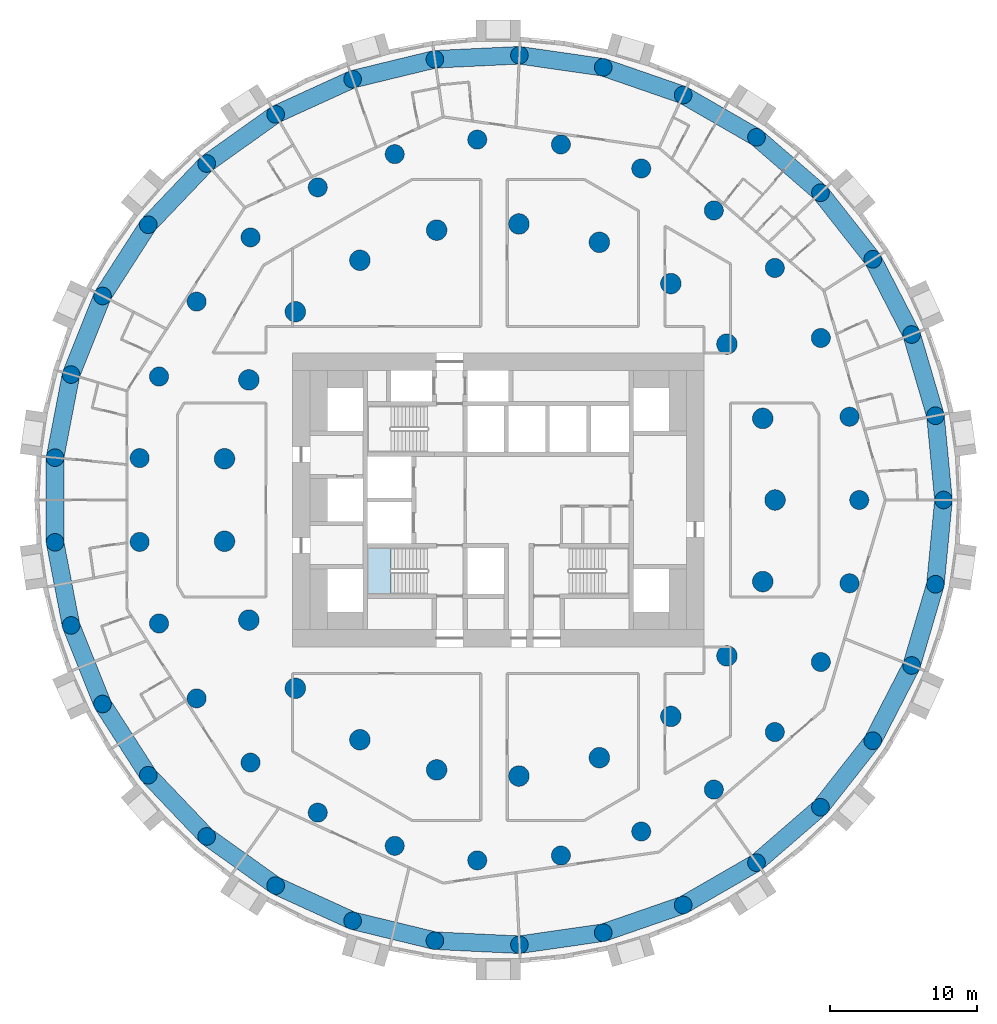
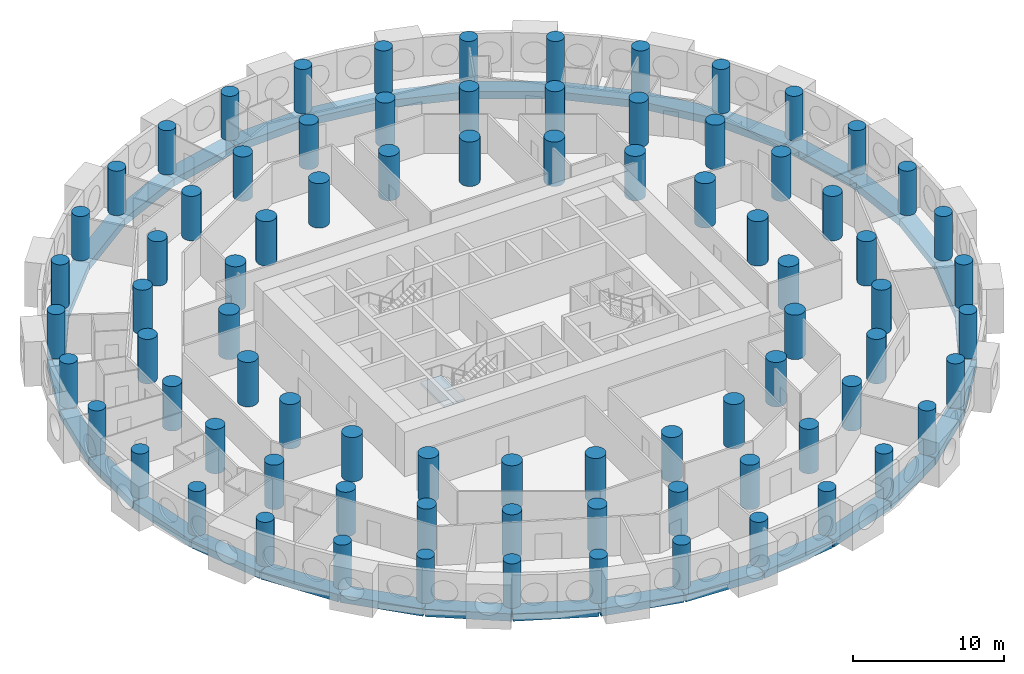
# One storey, part 1 of 12: 81 columns, 33 beams, 1 slab, 1 element without a shape of its own.
"""IFC4 building model written with IfcOpenShell, lengths in metres."""

from ifc_helpers import new_model, si_unit, direction, frame, origin, origin_2d, place, context, subcontext, project, spatial, polyline, rectangle, circle, outline, extrude, material, layer, layer_set, material_profile, profile_set, type_object, element, aggregate, save


model = new_model("IFC4")

# Units and contexts
model_context = context("Model", 3, precision=1e-05, world=origin(), true_north=direction((0.0, 1.0)))
body_context = subcontext(model_context, "Body", "Model", "MODEL_VIEW")
ifc_project = project(units=[si_unit("LENGTHUNIT", "METRE"), si_unit("AREAUNIT", "SQUARE_METRE"), si_unit("VOLUMEUNIT", "CUBIC_METRE"), si_unit("PLANEANGLEUNIT", "RADIAN"), si_unit("MASSUNIT", "GRAM", prefix="KILO")], contexts=[model_context])

# Site, building, storey
site_placement = place(None, origin())
site = spatial("IfcSite", under=ifc_project, at=site_placement, CompositionType="ELEMENT")
building_placement = place(site_placement, origin())
building = spatial("IfcBuilding", under=site, at=building_placement, Name="Tracery Tower", CompositionType="ELEMENT")
storey_placement = place(building_placement, frame((0.0, 0.0, 107.39990234375)))
storey = spatial("IfcBuildingStorey", under=building, at=storey_placement, Name="L27", CompositionType="ELEMENT", Elevation=107.39990234375)

# Columns
ifc_material_1 = material(Name="Concrete C60/75", Category="concrete")
ifc_material_profile_1 = material_profile(ifc_material_1, circle(Radius=0.60009765625, at=origin_2d()), Name="RC D1200")
ifc_profile_set_1 = profile_set([ifc_material_profile_1], Name="Concrete C60/75")
column_type_1 = type_object("IfcColumnType", Name="Ring 0 column 1200", PredefinedType="COLUMN", material=ifc_profile_set_1)
for number, where, z_axis, x_axis, name in (
    (1, (30.274658203125, 0.0, 0.0), (0.0, 0.0, 1.0), (1.0, 0.0, 0.0), "Ring 0 column 00 at L27"),
    (2, (29.7275390625, 5.7294921875, 0.0), (0.0, 0.0, 1.0), (1.0, 0.0, 0.0), "Ring 0 column 01 at L27"),
    (3, (28.10595703125, 11.251953125, 0.0), (0.0, 0.0, 1.0), (1.0, 0.0, 0.0), "Ring 0 column 02 at L27"),
    (4, (25.468505859375, 16.36767578125, 0.0), (0.0, 0.0, 1.0), (1.0, 0.0, 0.0), "Ring 0 column 03 at L27"),
    (5, (21.910888671875, 20.891845703125, 0.0), (0.0, 0.0, 1.0), (1.0, 0.0, 0.0), "Ring 0 column 04 at L27"),
    (6, (17.56103515625, 24.660888671875, 0.0), (0.0, 0.0, 1.0), (1.0, 0.0, 0.0), "Ring 0 column 05 at L27"),
    (7, (12.576416015625, 27.538818359375, 0.0), (0.0, 0.0, 1.0), (1.0, 0.0, 0.0), "Ring 0 column 06 at L27"),
    (8, (7.137451171875, 29.421142578125, 0.0), (0.0, 0.0, 1.0), (1.0, 0.0, 0.0), "Ring 0 column 07 at L27"),
    (9, (1.4404296875, 30.240234375, 0.0), (0.0, 0.0, 1.0), (1.0, 0.0, 0.0), "Ring 0 column 08 at L27"),
    (10, (-4.30859375, 29.96630859375, 0.0), (0.0, 0.0, 1.0), (1.0, 0.0, 0.0), "Ring 0 column 09 at L27"),
    (11, (-9.90185546875, 28.609619140625, 0.0), (0.0, 0.0, 1.0), (1.0, 0.0, 0.0), "Ring 0 column 10 at L27"),
    (12, (-15.13720703125, 26.218505859375, 0.0), (0.0, 0.0, 1.0), (1.0, 0.0, 0.0), "Ring 0 column 11 at L27"),
    (13, (-19.82568359375, 22.8798828125, 0.0), (0.0, 0.0, 1.0), (1.0, 0.0, 0.0), "Ring 0 column 12 at L27"),
    (14, (-23.79736328125, 18.714599609375, 0.0), (0.0, 0.0, 1.0), (1.0, 0.0, 0.0), "Ring 0 column 13 at L27"),
    (15, (-26.9091796875, 13.87255859375, 0.0), (0.0, 0.0, 1.0), (1.0, 0.0, 0.0), "Ring 0 column 14 at L27"),
    (16, (-29.04833984375, 8.529296875, 0.0), (0.0, 0.0, 1.0), (1.0, 0.0, 0.0), "Ring 0 column 15 at L27"),
    (17, (-30.137451171875, 2.877685546875, 0.0), (0.0, 0.0, 1.0), (1.0, 0.0, 0.0), "Ring 0 column 16 at L27"),
    (18, (-30.137451171875, -2.877685546875, 0.0), (0.0, 0.0, 1.0), (1.0, 0.0, 0.0), "Ring 0 column 17 at L27"),
    (19, (-29.04833984375, -8.529296875, 0.0), (0.0, 0.0, 1.0), (1.0, 0.0, 0.0), "Ring 0 column 18 at L27"),
    (20, (-26.9091796875, -13.87255859375, 0.0), (0.0, 0.0, 1.0), (1.0, 0.0, 0.0), "Ring 0 column 19 at L27"),
    (21, (-23.79736328125, -18.714599609375, 0.0), (0.0, 0.0, 1.0), (1.0, 0.0, 0.0), "Ring 0 column 20 at L27"),
    (22, (-19.82568359375, -22.8798828125, 0.0), (0.0, 0.0, 1.0), (1.0, 0.0, 0.0), "Ring 0 column 21 at L27"),
    (23, (-15.13720703125, -26.218505859375, 0.0), (0.0, 0.0, 1.0), (1.0, 0.0, 0.0), "Ring 0 column 22 at L27"),
    (24, (-9.90185546875, -28.609619140625, 0.0), (0.0, 0.0, 1.0), (1.0, 0.0, 0.0), "Ring 0 column 23 at L27"),
    (25, (-4.30859375, -29.96630859375, 0.0), (0.0, 0.0, 1.0), (1.0, 0.0, 0.0), "Ring 0 column 24 at L27"),
    (26, (1.4404296875, -30.240234375, 0.0), (0.0, 0.0, 1.0), (1.0, 0.0, 0.0), "Ring 0 column 25 at L27"),
    (27, (7.137451171875, -29.421142578125, 0.0), (0.0, 0.0, 1.0), (1.0, 0.0, 0.0), "Ring 0 column 26 at L27"),
    (28, (12.576416015625, -27.538818359375, 0.0), (0.0, 0.0, 1.0), (1.0, 0.0, 0.0), "Ring 0 column 27 at L27"),
    (29, (17.56103515625, -24.660888671875, 0.0), (0.0, 0.0, 1.0), (1.0, 0.0, 0.0), "Ring 0 column 28 at L27"),
    (30, (21.910888671875, -20.891845703125, 0.0), (0.0, 0.0, 1.0), (1.0, 0.0, 0.0), "Ring 0 column 29 at L27"),
    (31, (25.468505859375, -16.36767578125, 0.0), (0.0, 0.0, 1.0), (1.0, 0.0, 0.0), "Ring 0 column 30 at L27"),
    (32, (28.10595703125, -11.251953125, 0.0), (0.0, 0.0, 1.0), (1.0, 0.0, 0.0), "Ring 0 column 31 at L27"),
    (33, (29.7275390625, -5.7294921875, 0.0), (0.0, 0.0, 1.0), (1.0, 0.0, 0.0), "Ring 0 column 32 at L27"),
):
    element("IfcColumn", number, at=place(storey_placement, frame(where, z_axis=z_axis, x_axis=x_axis)), inside=storey, type_object=column_type_1, Name=name, PredefinedType="COLUMN", context=body_context, shape_type="SweptSolid", body=[
        extrude(circle(Radius=0.60009765625, at=origin_2d()), origin(), (0.0, 0.0, 1.0), 3.60009765625),
    ])
ifc_material_2 = material(Name="Concrete C60/75", Category="concrete")
ifc_material_profile_2 = material_profile(ifc_material_2, circle(Radius=0.64990234375, at=origin_2d()), Name="RC D1300")
ifc_profile_set_2 = profile_set([ifc_material_profile_2], Name="Concrete C60/75")
column_type_2 = type_object("IfcColumnType", Name="Ring 1 column 1300", PredefinedType="COLUMN", material=ifc_profile_set_2)
for number, where, z_axis, x_axis, name in (
    (34, (24.547607421875, 0.0, 0.0), (0.0, 0.0, 1.0), (1.0, 0.0, 0.0), "Ring 1 column 00 at L27"),
    (35, (23.885986328125, 5.6611328125, 0.0), (0.0, 0.0, 1.0), (1.0, 0.0, 0.0), "Ring 1 column 01 at L27"),
    (36, (21.9365234375, 11.01708984375, 0.0), (0.0, 0.0, 1.0), (1.0, 0.0, 0.0), "Ring 1 column 02 at L27"),
    (37, (18.8046875, 15.779052734375, 0.0), (0.0, 0.0, 1.0), (1.0, 0.0, 0.0), "Ring 1 column 03 at L27"),
    (38, (14.658935546875, 19.690185546875, 0.0), (0.0, 0.0, 1.0), (1.0, 0.0, 0.0), "Ring 1 column 04 at L27"),
    (39, (9.722900390625, 22.5400390625, 0.0), (0.0, 0.0, 1.0), (1.0, 0.0, 0.0), "Ring 1 column 05 at L27"),
    (40, (4.2626953125, 24.1748046875, 0.0), (0.0, 0.0, 1.0), (1.0, 0.0, 0.0), "Ring 1 column 06 at L27"),
    (41, (-1.42724609375, 24.506103515625, 0.0), (0.0, 0.0, 1.0), (1.0, 0.0, 0.0), "Ring 1 column 07 at L27"),
    (42, (-7.040283203125, 23.516357421875, 0.0), (0.0, 0.0, 1.0), (1.0, 0.0, 0.0), "Ring 1 column 08 at L27"),
    (43, (-12.273681640625, 21.2587890625, 0.0), (0.0, 0.0, 1.0), (1.0, 0.0, 0.0), "Ring 1 column 09 at L27"),
    (44, (-16.845703125, 17.855224609375, 0.0), (0.0, 0.0, 1.0), (1.0, 0.0, 0.0), "Ring 1 column 10 at L27"),
    (45, (-20.50927734375, 13.4892578125, 0.0), (0.0, 0.0, 1.0), (1.0, 0.0, 0.0), "Ring 1 column 11 at L27"),
    (46, (-23.0673828125, 8.395751953125, 0.0), (0.0, 0.0, 1.0), (1.0, 0.0, 0.0), "Ring 1 column 12 at L27"),
    (47, (-24.381591796875, 2.849853515625, 0.0), (0.0, 0.0, 1.0), (1.0, 0.0, 0.0), "Ring 1 column 13 at L27"),
    (48, (-24.381591796875, -2.849853515625, 0.0), (0.0, 0.0, 1.0), (1.0, 0.0, 0.0), "Ring 1 column 14 at L27"),
    (49, (-23.0673828125, -8.395751953125, 0.0), (0.0, 0.0, 1.0), (1.0, 0.0, 0.0), "Ring 1 column 15 at L27"),
    (50, (-20.50927734375, -13.4892578125, 0.0), (0.0, 0.0, 1.0), (1.0, 0.0, 0.0), "Ring 1 column 16 at L27"),
    (51, (-16.845703125, -17.85546875, 0.0), (0.0, 0.0, 1.0), (1.0, 0.0, 0.0), "Ring 1 column 17 at L27"),
    (52, (-12.27392578125, -21.2587890625, 0.0), (0.0, 0.0, 1.0), (1.0, 0.0, 0.0), "Ring 1 column 18 at L27"),
    (53, (-7.040283203125, -23.516357421875, 0.0), (0.0, 0.0, 1.0), (1.0, 0.0, 0.0), "Ring 1 column 19 at L27"),
    (54, (-1.42724609375, -24.506103515625, 0.0), (0.0, 0.0, 1.0), (1.0, 0.0, 0.0), "Ring 1 column 20 at L27"),
    (55, (4.2626953125, -24.1748046875, 0.0), (0.0, 0.0, 1.0), (1.0, 0.0, 0.0), "Ring 1 column 21 at L27"),
    (56, (9.722900390625, -22.5400390625, 0.0), (0.0, 0.0, 1.0), (1.0, 0.0, 0.0), "Ring 1 column 22 at L27"),
    (57, (14.658935546875, -19.690185546875, 0.0), (0.0, 0.0, 1.0), (1.0, 0.0, 0.0), "Ring 1 column 23 at L27"),
    (58, (18.8046875, -15.779052734375, 0.0), (0.0, 0.0, 1.0), (1.0, 0.0, 0.0), "Ring 1 column 24 at L27"),
    (59, (21.9365234375, -11.01708984375, 0.0), (0.0, 0.0, 1.0), (1.0, 0.0, 0.0), "Ring 1 column 25 at L27"),
    (60, (23.885986328125, -5.6611328125, 0.0), (0.0, 0.0, 1.0), (1.0, 0.0, 0.0), "Ring 1 column 26 at L27"),
):
    element("IfcColumn", number, at=place(storey_placement, frame(where, z_axis=z_axis, x_axis=x_axis)), inside=storey, type_object=column_type_2, Name=name, PredefinedType="COLUMN", context=body_context, shape_type="SweptSolid", body=[
        extrude(circle(Radius=0.64990234375, at=origin_2d()), origin(), (0.0, 0.0, 1.0), 3.60009765625),
    ])
ifc_material_3 = material(Name="Concrete C60/75", Category="concrete")
ifc_material_profile_3 = material_profile(ifc_material_3, circle(Radius=0.699951171875, at=origin_2d()), Name="RC D1400")
ifc_profile_set_3 = profile_set([ifc_material_profile_3], Name="Concrete C60/75")
column_type_3 = type_object("IfcColumnType", Name="Ring 2 column 1400", PredefinedType="COLUMN", material=ifc_profile_set_3)
for number, where, z_axis, x_axis, name in (
    (61, (18.822265625, 0.0, 0.0), (0.0, 0.0, 1.0), (1.0, 0.0, 0.0), "Ring 2 column 00 at L27"),
    (62, (17.986083984375, 5.5478515625, 0.0), (0.0, 0.0, 1.0), (1.0, 0.0, 0.0), "Ring 2 column 01 at L27"),
    (63, (15.551513671875, 10.602783203125, 0.0), (0.0, 0.0, 1.0), (1.0, 0.0, 0.0), "Ring 2 column 02 at L27"),
    (64, (11.7353515625, 14.7158203125, 0.0), (0.0, 0.0, 1.0), (1.0, 0.0, 0.0), "Ring 2 column 03 at L27"),
    (65, (6.87646484375, 17.52099609375, 0.0), (0.0, 0.0, 1.0), (1.0, 0.0, 0.0), "Ring 2 column 04 at L27"),
    (66, (1.406494140625, 18.76953125, 0.0), (0.0, 0.0, 1.0), (1.0, 0.0, 0.0), "Ring 2 column 05 at L27"),
    (67, (-4.188232421875, 18.350341796875, 0.0), (0.0, 0.0, 1.0), (1.0, 0.0, 0.0), "Ring 2 column 06 at L27"),
    (68, (-9.4111328125, 16.300537109375, 0.0), (0.0, 0.0, 1.0), (1.0, 0.0, 0.0), "Ring 2 column 07 at L27"),
    (69, (-13.797607421875, 12.802490234375, 0.0), (0.0, 0.0, 1.0), (1.0, 0.0, 0.0), "Ring 2 column 08 at L27"),
    (70, (-16.958251953125, 8.16650390625, 0.0), (0.0, 0.0, 1.0), (1.0, 0.0, 0.0), "Ring 2 column 09 at L27"),
    (71, (-18.612060546875, 2.805419921875, 0.0), (0.0, 0.0, 1.0), (1.0, 0.0, 0.0), "Ring 2 column 10 at L27"),
    (72, (-18.612060546875, -2.805419921875, 0.0), (0.0, 0.0, 1.0), (1.0, 0.0, 0.0), "Ring 2 column 11 at L27"),
    (73, (-16.958251953125, -8.166748046875, 0.0), (0.0, 0.0, 1.0), (1.0, 0.0, 0.0), "Ring 2 column 12 at L27"),
    (74, (-13.797607421875, -12.80224609375, 0.0), (0.0, 0.0, 1.0), (1.0, 0.0, 0.0), "Ring 2 column 13 at L27"),
    (75, (-9.4111328125, -16.300537109375, 0.0), (0.0, 0.0, 1.0), (1.0, 0.0, 0.0), "Ring 2 column 14 at L27"),
    (76, (-4.188232421875, -18.350341796875, 0.0), (0.0, 0.0, 1.0), (1.0, 0.0, 0.0), "Ring 2 column 15 at L27"),
    (77, (1.406494140625, -18.76953125, 0.0), (0.0, 0.0, 1.0), (1.0, 0.0, 0.0), "Ring 2 column 16 at L27"),
    (78, (6.87646484375, -17.52099609375, 0.0), (0.0, 0.0, 1.0), (1.0, 0.0, 0.0), "Ring 2 column 17 at L27"),
    (79, (11.7353515625, -14.7158203125, 0.0), (0.0, 0.0, 1.0), (1.0, 0.0, 0.0), "Ring 2 column 18 at L27"),
    (80, (15.551513671875, -10.602783203125, 0.0), (0.0, 0.0, 1.0), (1.0, 0.0, 0.0), "Ring 2 column 19 at L27"),
    (81, (17.986083984375, -5.5478515625, 0.0), (0.0, 0.0, 1.0), (1.0, 0.0, 0.0), "Ring 2 column 20 at L27"),
):
    element("IfcColumn", number, at=place(storey_placement, frame(where, z_axis=z_axis, x_axis=x_axis)), inside=storey, type_object=column_type_3, Name=name, PredefinedType="COLUMN", context=body_context, shape_type="SweptSolid", body=[
        extrude(circle(Radius=0.699951171875, at=origin_2d()), origin(), (0.0, 0.0, 1.0), 3.60009765625),
    ])

# Beams
ifc_material_4 = material(Name="Concrete C60/75", Category="concrete")
ifc_material_profile_4 = material_profile(ifc_material_4, rectangle(XDim=1.199951171875, YDim=0.60009765625, at=origin_2d()), Name="RC 1200x600")
ifc_profile_set_4 = profile_set([ifc_material_profile_4], Name="Concrete C60/75")
beam_type = type_object("IfcBeamType", Name="Perimeter band beam 1200x600", PredefinedType="BEAM", material=ifc_profile_set_4)
for number, where, z_axis, x_axis, name in (
    (82, (30.274658203125, 0.0, -0.75), (-0.095059309677, 0.995471610667, 0.0), (-0.995471610667, -0.095059309677, 0.0), "Perimeter beam 0.00 under L27"),
    (83, (29.7275390625, 5.7294921875, -0.75), (-0.281739145896, 0.959491038869, 0.0), (-0.959491038869, -0.281739145896, 0.0), "Perimeter beam 0.01 under L27"),
    (84, (28.10595703125, 11.251953125, -0.75), (-0.458242010493, 0.88882746347, 0.0), (-0.88882746347, -0.458242010493, 0.0), "Perimeter beam 0.02 under L27"),
):
    element("IfcBeam", number, at=place(storey_placement, frame(where, z_axis=z_axis, x_axis=x_axis)), inside=storey, type_object=beam_type, Name=name, PredefinedType="BEAM", context=body_context, shape_type="SweptSolid", body=[
        extrude(rectangle(XDim=1.199951171875, YDim=0.60009765625, at=origin_2d()), origin(), (0.0, 0.0, 1.0), 5.755615234375),
    ])
beam_1_placement = place(storey_placement, frame((25.468505859375, 16.36767578125, -0.75), z_axis=(-0.618134362257, 0.786072458618, 0.0), x_axis=(-0.786072458618, -0.618134362257, 0.0)))
element("IfcBeam", 85, at=beam_1_placement, inside=storey, type_object=beam_type, Name="Perimeter beam 0.03 under L27", PredefinedType="BEAM", context=body_context, shape_type="SweptSolid", body=[
    extrude(rectangle(XDim=1.199951171875, YDim=0.60009765625, at=origin_2d()), origin(), (0.0, 0.0, 1.0), 5.75537109375),
])
beam_2_placement = place(storey_placement, frame((21.910888671875, 20.891845703125, -0.75), z_axis=(-0.755760456715, 0.65484817482, 0.0), x_axis=(-0.65484817482, -0.755760456715, 0.0)))
element("IfcBeam", 86, at=beam_2_placement, inside=storey, type_object=beam_type, Name="Perimeter beam 0.04 under L27", PredefinedType="BEAM", context=body_context, shape_type="SweptSolid", body=[
    extrude(rectangle(XDim=1.199951171875, YDim=0.60009765625, at=origin_2d()), origin(), (0.0, 0.0, 1.0), 5.755615234375),
])
beam_3_placement = place(storey_placement, frame((17.56103515625, 24.660888671875, -0.75), z_axis=(-0.866021003874, 0.50000762079, 0.0), x_axis=(-0.50000762079, -0.866021003874, 0.0)))
element("IfcBeam", 87, at=beam_3_placement, inside=storey, type_object=beam_type, Name="Perimeter beam 0.05 under L27", PredefinedType="BEAM", context=body_context, shape_type="SweptSolid", body=[
    extrude(rectangle(XDim=1.199951171875, YDim=0.60009765625, at=origin_2d()), origin(), (0.0, 0.0, 1.0), 5.755859375),
])
beam_4_placement = place(storey_placement, frame((12.576416015625, 27.538818359375, -0.75), z_axis=(-0.945007252869, 0.327049372458, 0.0), x_axis=(-0.327049372458, -0.945007252869, 0.0)))
element("IfcBeam", 88, at=beam_4_placement, inside=storey, type_object=beam_type, Name="Perimeter beam 0.06 under L27", PredefinedType="BEAM", context=body_context, shape_type="SweptSolid", body=[
    extrude(rectangle(XDim=1.199951171875, YDim=0.60009765625, at=origin_2d()), origin(), (0.0, 0.0, 1.0), 5.75537109375),
])
for number, where, z_axis, x_axis, name in (
    (89, (7.137451171875, 29.421142578125, -0.75), (-0.989821839174, 0.142312075013, 0.0), (-0.142312075013, -0.989821839174, 0.0), "Perimeter beam 0.07 under L27"),
    (90, (1.4404296875, 30.240234375, -0.75), (-0.998866793759, -0.047593364303, 0.0), (0.047593364303, -0.998866793759, 0.0), "Perimeter beam 0.08 under L27"),
):
    element("IfcBeam", number, at=place(storey_placement, frame(where, z_axis=z_axis, x_axis=x_axis)), inside=storey, type_object=beam_type, Name=name, PredefinedType="BEAM", context=body_context, shape_type="SweptSolid", body=[
        extrude(rectangle(XDim=1.199951171875, YDim=0.60009765625, at=origin_2d()), origin(), (0.0, 0.0, 1.0), 5.755615234375),
    ])
beam_5_placement = place(storey_placement, frame((-4.30859375, 29.96630859375, -0.75), z_axis=(-0.971820371509, -0.235722645328, 0.0), x_axis=(0.235722645328, -0.971820371509, 0.0)))
element("IfcBeam", 91, at=beam_5_placement, inside=storey, type_object=beam_type, Name="Perimeter beam 0.09 under L27", PredefinedType="BEAM", context=body_context, shape_type="SweptSolid", body=[
    extrude(rectangle(XDim=1.199951171875, YDim=0.60009765625, at=origin_2d()), origin(), (0.0, 0.0, 1.0), 5.75537109375),
])
for number, where, z_axis, x_axis, name in (
    (92, (-9.90185546875, 28.609619140625, -0.75), (-0.909618316865, -0.415444963411, 0.0), (0.415444963411, -0.909618316865, 0.0), "Perimeter beam 0.10 under L27"),
    (93, (-15.13720703125, 26.218505859375, -0.75), (-0.8145780864, -0.580053912285, 0.0), (0.580053912285, -0.8145780864, 0.0), "Perimeter beam 0.11 under L27"),
):
    element("IfcBeam", number, at=place(storey_placement, frame(where, z_axis=z_axis, x_axis=x_axis)), inside=storey, type_object=beam_type, Name=name, PredefinedType="BEAM", context=body_context, shape_type="SweptSolid", body=[
        extrude(rectangle(XDim=1.199951171875, YDim=0.60009765625, at=origin_2d()), origin(), (0.0, 0.0, 1.0), 5.755615234375),
    ])
beam_6_placement = place(storey_placement, frame((-19.82568359375, 22.8798828125, -0.75), z_axis=(-0.690087218267, -0.723726212863, 0.0), x_axis=(0.723726212863, -0.690087218267, 0.0)))
element("IfcBeam", 94, at=beam_6_placement, inside=storey, type_object=beam_type, Name="Perimeter beam 0.12 under L27", PredefinedType="BEAM", context=body_context, shape_type="SweptSolid", body=[
    extrude(rectangle(XDim=1.199951171875, YDim=0.60009765625, at=origin_2d()), origin(), (0.0, 0.0, 1.0), 5.75537109375),
])
beam_7_placement = place(storey_placement, frame((-23.79736328125, 18.714599609375, -0.75), z_axis=(-0.540643964602, -0.841251510274, 0.0), x_axis=(0.841251510274, -0.540643964602, 0.0)))
element("IfcBeam", 95, at=beam_7_placement, inside=storey, type_object=beam_type, Name="Perimeter beam 0.13 under L27", PredefinedType="BEAM", context=body_context, shape_type="SweptSolid", body=[
    extrude(rectangle(XDim=1.199951171875, YDim=0.60009765625, at=origin_2d()), origin(), (0.0, 0.0, 1.0), 5.755859375),
])
for number, where, z_axis, x_axis, name in (
    (96, (-26.9091796875, 13.87255859375, -0.75), (-0.371668572289, -0.928365484264, 0.0), (0.928365484264, -0.371668572289, 0.0), "Perimeter beam 0.14 under L27"),
    (97, (-29.04833984375, 8.529296875, -0.75), (-0.189226539295, -0.981933458451, 0.0), (0.981933458451, -0.189226539295, 0.0), "Perimeter beam 0.15 under L27"),
):
    element("IfcBeam", number, at=place(storey_placement, frame(where, z_axis=z_axis, x_axis=x_axis)), inside=storey, type_object=beam_type, Name=name, PredefinedType="BEAM", context=body_context, shape_type="SweptSolid", body=[
        extrude(rectangle(XDim=1.199951171875, YDim=0.60009765625, at=origin_2d()), origin(), (0.0, 0.0, 1.0), 5.755615234375),
    ])
beam_8_placement = place(storey_placement, frame((-30.137451171875, 2.877685546875, -0.75), z_axis=(0.0, -1.0, 0.0), x_axis=(1.0, 0.0, 0.0)))
element("IfcBeam", 98, at=beam_8_placement, inside=storey, type_object=beam_type, Name="Perimeter beam 0.16 under L27", PredefinedType="BEAM", context=body_context, shape_type="SweptSolid", body=[
    extrude(rectangle(XDim=1.199951171875, YDim=0.60009765625, at=origin_2d()), origin(), (0.0, 0.0, 1.0), 5.75537109375),
])
for number, where, z_axis, x_axis, name in (
    (99, (-30.137451171875, -2.877685546875, -0.75), (0.189226539295, -0.981933458451, 0.0), (0.981933458451, 0.189226539295, 0.0), "Perimeter beam 0.17 under L27"),
    (100, (-29.04833984375, -8.529296875, -0.75), (0.371668572289, -0.928365484264, 0.0), (0.928365484264, 0.371668572289, 0.0), "Perimeter beam 0.18 under L27"),
):
    element("IfcBeam", number, at=place(storey_placement, frame(where, z_axis=z_axis, x_axis=x_axis)), inside=storey, type_object=beam_type, Name=name, PredefinedType="BEAM", context=body_context, shape_type="SweptSolid", body=[
        extrude(rectangle(XDim=1.199951171875, YDim=0.60009765625, at=origin_2d()), origin(), (0.0, 0.0, 1.0), 5.755615234375),
    ])
beam_9_placement = place(storey_placement, frame((-26.9091796875, -13.87255859375, -0.75), z_axis=(0.540643964602, -0.841251510274, 0.0), x_axis=(0.841251510274, 0.540643964602, 0.0)))
element("IfcBeam", 101, at=beam_9_placement, inside=storey, type_object=beam_type, Name="Perimeter beam 0.19 under L27", PredefinedType="BEAM", context=body_context, shape_type="SweptSolid", body=[
    extrude(rectangle(XDim=1.199951171875, YDim=0.60009765625, at=origin_2d()), origin(), (0.0, 0.0, 1.0), 5.755859375),
])
beam_10_placement = place(storey_placement, frame((-23.79736328125, -18.714599609375, -0.75), z_axis=(0.690087218267, -0.723726212863, 0.0), x_axis=(0.723726212863, 0.690087218267, 0.0)))
element("IfcBeam", 102, at=beam_10_placement, inside=storey, type_object=beam_type, Name="Perimeter beam 0.20 under L27", PredefinedType="BEAM", context=body_context, shape_type="SweptSolid", body=[
    extrude(rectangle(XDim=1.199951171875, YDim=0.60009765625, at=origin_2d()), origin(), (0.0, 0.0, 1.0), 5.75537109375),
])
for number, where, z_axis, x_axis, name in (
    (103, (-19.82568359375, -22.8798828125, -0.75), (0.8145780864, -0.580053912285, 0.0), (0.580053912285, 0.8145780864, 0.0), "Perimeter beam 0.21 under L27"),
    (104, (-15.13720703125, -26.218505859375, -0.75), (0.909618316865, -0.415444963411, 0.0), (0.415444963411, 0.909618316865, 0.0), "Perimeter beam 0.22 under L27"),
):
    element("IfcBeam", number, at=place(storey_placement, frame(where, z_axis=z_axis, x_axis=x_axis)), inside=storey, type_object=beam_type, Name=name, PredefinedType="BEAM", context=body_context, shape_type="SweptSolid", body=[
        extrude(rectangle(XDim=1.199951171875, YDim=0.60009765625, at=origin_2d()), origin(), (0.0, 0.0, 1.0), 5.755615234375),
    ])
beam_11_placement = place(storey_placement, frame((-9.90185546875, -28.609619140625, -0.75), z_axis=(0.971820371509, -0.235722645328, 0.0), x_axis=(0.235722645328, 0.971820371509, 0.0)))
element("IfcBeam", 105, at=beam_11_placement, inside=storey, type_object=beam_type, Name="Perimeter beam 0.23 under L27", PredefinedType="BEAM", context=body_context, shape_type="SweptSolid", body=[
    extrude(rectangle(XDim=1.199951171875, YDim=0.60009765625, at=origin_2d()), origin(), (0.0, 0.0, 1.0), 5.75537109375),
])
for number, where, z_axis, x_axis, name in (
    (106, (-4.30859375, -29.96630859375, -0.75), (0.998866793759, -0.047593364303, 0.0), (0.047593364303, 0.998866793759, 0.0), "Perimeter beam 0.24 under L27"),
    (107, (1.4404296875, -30.240234375, -0.75), (0.989821839174, 0.142312075013, 0.0), (-0.142312075013, 0.989821839174, 0.0), "Perimeter beam 0.25 under L27"),
):
    element("IfcBeam", number, at=place(storey_placement, frame(where, z_axis=z_axis, x_axis=x_axis)), inside=storey, type_object=beam_type, Name=name, PredefinedType="BEAM", context=body_context, shape_type="SweptSolid", body=[
        extrude(rectangle(XDim=1.199951171875, YDim=0.60009765625, at=origin_2d()), origin(), (0.0, 0.0, 1.0), 5.755615234375),
    ])
beam_12_placement = place(storey_placement, frame((7.137451171875, -29.421142578125, -0.75), z_axis=(0.945007252869, 0.327049372458, 0.0), x_axis=(-0.327049372458, 0.945007252869, 0.0)))
element("IfcBeam", 108, at=beam_12_placement, inside=storey, type_object=beam_type, Name="Perimeter beam 0.26 under L27", PredefinedType="BEAM", context=body_context, shape_type="SweptSolid", body=[
    extrude(rectangle(XDim=1.199951171875, YDim=0.60009765625, at=origin_2d()), origin(), (0.0, 0.0, 1.0), 5.75537109375),
])
beam_13_placement = place(storey_placement, frame((12.576416015625, -27.538818359375, -0.75), z_axis=(0.866021003874, 0.50000762079, 0.0), x_axis=(-0.50000762079, 0.866021003874, 0.0)))
element("IfcBeam", 109, at=beam_13_placement, inside=storey, type_object=beam_type, Name="Perimeter beam 0.27 under L27", PredefinedType="BEAM", context=body_context, shape_type="SweptSolid", body=[
    extrude(rectangle(XDim=1.199951171875, YDim=0.60009765625, at=origin_2d()), origin(), (0.0, 0.0, 1.0), 5.755859375),
])
beam_14_placement = place(storey_placement, frame((17.56103515625, -24.660888671875, -0.75), z_axis=(0.755760456715, 0.65484817482, 0.0), x_axis=(-0.65484817482, 0.755760456715, 0.0)))
element("IfcBeam", 110, at=beam_14_placement, inside=storey, type_object=beam_type, Name="Perimeter beam 0.28 under L27", PredefinedType="BEAM", context=body_context, shape_type="SweptSolid", body=[
    extrude(rectangle(XDim=1.199951171875, YDim=0.60009765625, at=origin_2d()), origin(), (0.0, 0.0, 1.0), 5.755615234375),
])
beam_15_placement = place(storey_placement, frame((21.910888671875, -20.891845703125, -0.75), z_axis=(0.618134362257, 0.786072458618, 0.0), x_axis=(-0.786072458618, 0.618134362257, 0.0)))
element("IfcBeam", 111, at=beam_15_placement, inside=storey, type_object=beam_type, Name="Perimeter beam 0.29 under L27", PredefinedType="BEAM", context=body_context, shape_type="SweptSolid", body=[
    extrude(rectangle(XDim=1.199951171875, YDim=0.60009765625, at=origin_2d()), origin(), (0.0, 0.0, 1.0), 5.75537109375),
])
for number, where, z_axis, x_axis, name in (
    (112, (25.468505859375, -16.36767578125, -0.75), (0.458242010493, 0.88882746347, 0.0), (-0.88882746347, 0.458242010493, 0.0), "Perimeter beam 0.30 under L27"),
    (113, (28.10595703125, -11.251953125, -0.75), (0.281739145896, 0.959491038869, 0.0), (-0.959491038869, 0.281739145896, 0.0), "Perimeter beam 0.31 under L27"),
    (114, (29.7275390625, -5.7294921875, -0.75), (0.095059309677, 0.995471610667, 0.0), (-0.995471610667, 0.095059309677, 0.0), "Perimeter beam 0.32 under L27"),
):
    element("IfcBeam", number, at=place(storey_placement, frame(where, z_axis=z_axis, x_axis=x_axis)), inside=storey, type_object=beam_type, Name=name, PredefinedType="BEAM", context=body_context, shape_type="SweptSolid", body=[
        extrude(rectangle(XDim=1.199951171875, YDim=0.60009765625, at=origin_2d()), origin(), (0.0, 0.0, 1.0), 5.755615234375),
    ])

# Stair, slab
ifc_material_5 = material(Name="Concrete C32/40", Category="concrete")
stair_type = type_object("IfcStairType", Name="Core stair 22 risers", PredefinedType="HALF_TURN_STAIR", material=ifc_material_5)
stair_placement = place(storey_placement, origin())
stair = element("IfcStair", 115, at=stair_placement, inside=storey, type_object=stair_type, Name="L27 stair ST1", PredefinedType="HALF_TURN_STAIR")
ifc_material_6 = material(Name="Concrete C32/40", Category="concrete")
ifc_layer = layer(ifc_material_6, 0.199951171875)
ifc_layer_set = layer_set([ifc_layer], Name="Stair landing slab 200")
slab_type = type_object("IfcSlabType", Name="Stair landing slab 200", PredefinedType="LANDING", material=ifc_layer_set)
slab_placement = place(storey_placement, frame((0.0, 0.0, 1.60009765625)))
slab = element("IfcSlab", 116, at=slab_placement, type_object=slab_type, Name="ST1 landing 1", PredefinedType="LANDING", context=body_context, shape_type="SweptSolid", body=[
    extrude(outline(polyline([(-7.29931640625, -3.25), (-8.89990234375, -3.25), (-8.89990234375, -6.39990234375), (-7.29931640625, -6.39990234375), (-7.29931640625, -3.25)])), origin(), (0.0, 0.0, 1.0), 0.199951171875),
])
aggregate(stair, [slab])

save(model, "model.ifc")
